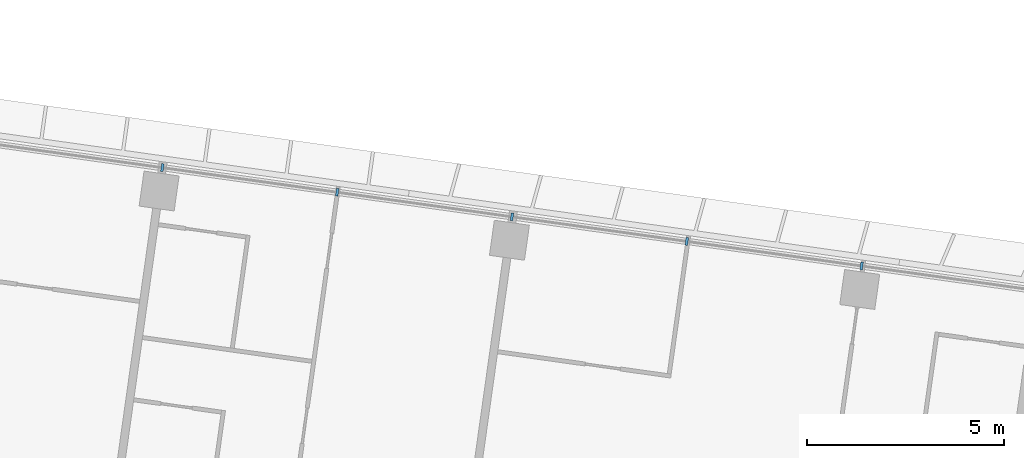
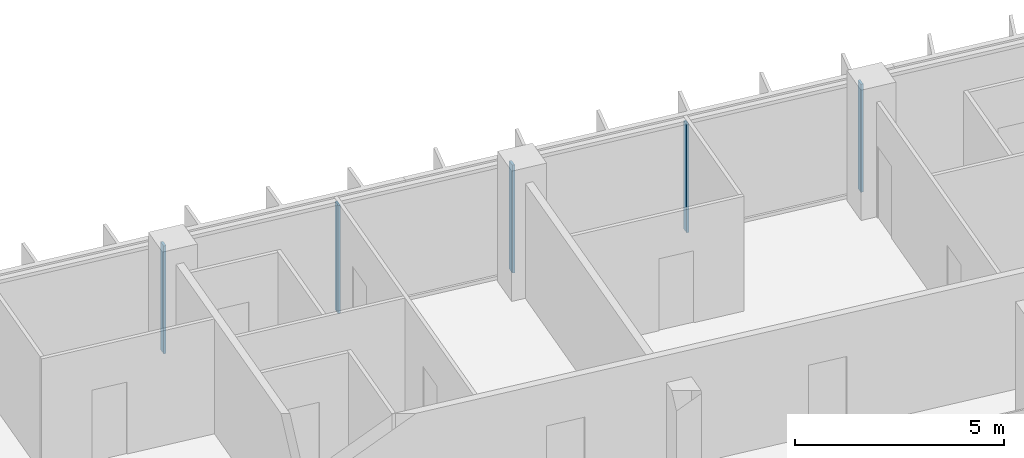
# One storey, part 8 of 33: 5 members, 1 element without a shape of its own.
"""IFC4 building model written with IfcOpenShell, lengths in metres."""

from ifc_helpers import new_model, si_unit, direction, frame, origin, origin_2d, place, context, subcontext, project, spatial, rectangle, extrude, material, material_profile, profile_set, type_object, element, aggregate, save


model = new_model("IFC4")

# Units and contexts
model_context = context("Model", 3, precision=1e-05, world=origin(), true_north=direction((0.0, 1.0)))
body_context = subcontext(model_context, "Body", "Model", "MODEL_VIEW")
ifc_project = project(units=[si_unit("LENGTHUNIT", "METRE"), si_unit("AREAUNIT", "SQUARE_METRE"), si_unit("VOLUMEUNIT", "CUBIC_METRE"), si_unit("PLANEANGLEUNIT", "RADIAN"), si_unit("MASSUNIT", "GRAM", prefix="KILO")], contexts=[model_context])

# Site, building, storey
site_placement = place(None, origin())
site = spatial("IfcSite", under=ifc_project, at=site_placement, CompositionType="ELEMENT")
building_placement = place(site_placement, origin())
building = spatial("IfcBuilding", under=site, at=building_placement, Name="Mirante Cascada Hotel Towers", CompositionType="ELEMENT")
storey_placement = place(building_placement, frame((0.0, 0.0, 121.5)))
storey = spatial("IfcBuildingStorey", under=building, at=storey_placement, Name="L27", CompositionType="ELEMENT", Elevation=121.5)

# Curtain wall, members
ifc_material_1 = material(Name="Aluminium mullion and transom frame with clear laminated glass", Category="aluminium")
curtain_wall_type = type_object("IfcCurtainWallType", Name="Ribbon curtain wall ECW1", PredefinedType="NOTDEFINED", material=ifc_material_1)
curtain_wall_placement = place(storey_placement, origin())
curtain_wall = element("IfcCurtainWall", 1, at=curtain_wall_placement, inside=storey, type_object=curtain_wall_type, Name="Front ribbon wall T1 L27", PredefinedType="NOTDEFINED")
ifc_material_2 = material(Name="Anodised aluminium extrusion", Category="aluminium")
ifc_material_profile = material_profile(ifc_material_2, rectangle(XDim=0.2, YDim=0.065, at=origin_2d()), Name="ECW1 MULLION 65x200")
ifc_profile_set = profile_set([ifc_material_profile], Name="Anodised aluminium extrusion")
member_type = type_object("IfcMemberType", Name="ECW1 mullion 65x200", PredefinedType="MULLION", material=ifc_profile_set)
member_1_placement = place(storey_placement, frame((-63.0262, 21.6768, 0.1), z_axis=(0.0, 0.0, 1.0), x_axis=(0.1391731, 0.9902681, 0.0)))
member_1 = element("IfcMember", 2, at=member_1_placement, type_object=member_type, Name="ECW1 mullion 8", PredefinedType="MULLION", context=body_context, shape_type="SweptSolid", body=[
    extrude(rectangle(XDim=0.2, YDim=0.065, at=origin_2d()), origin(), (0.0, 0.0, 1.0), 3.15),
])
member_2_placement = place(storey_placement, frame((-58.5788, 21.0517, 0.1), z_axis=(0.0, 0.0, 1.0), x_axis=(0.1391731, 0.9902681, 0.0)))
member_2 = element("IfcMember", 3, at=member_2_placement, type_object=member_type, Name="ECW1 mullion 9", PredefinedType="MULLION", context=body_context, shape_type="SweptSolid", body=[
    extrude(rectangle(XDim=0.2, YDim=0.065, at=origin_2d()), origin(), (0.0, 0.0, 1.0), 3.15),
])
member_3_placement = place(storey_placement, frame((-54.1314, 20.4267, 0.1), z_axis=(0.0, 0.0, 1.0), x_axis=(0.1391731, 0.9902681, 0.0)))
member_3 = element("IfcMember", 4, at=member_3_placement, type_object=member_type, Name="ECW1 mullion 10", PredefinedType="MULLION", context=body_context, shape_type="SweptSolid", body=[
    extrude(rectangle(XDim=0.2, YDim=0.065, at=origin_2d()), origin(), (0.0, 0.0, 1.0), 3.15),
])
member_4_placement = place(storey_placement, frame((-49.684, 19.8017, 0.1), z_axis=(0.0, 0.0, 1.0), x_axis=(0.1391731, 0.9902681, 0.0)))
member_4 = element("IfcMember", 5, at=member_4_placement, type_object=member_type, Name="ECW1 mullion 11", PredefinedType="MULLION", context=body_context, shape_type="SweptSolid", body=[
    extrude(rectangle(XDim=0.2, YDim=0.065, at=origin_2d()), origin(), (0.0, 0.0, 1.0), 3.15),
])
member_5_placement = place(storey_placement, frame((-45.2366, 19.1766, 0.1), z_axis=(0.0, 0.0, 1.0), x_axis=(0.1391731, 0.9902681, 0.0)))
member_5 = element("IfcMember", 6, at=member_5_placement, type_object=member_type, Name="ECW1 mullion 12", PredefinedType="MULLION", context=body_context, shape_type="SweptSolid", body=[
    extrude(rectangle(XDim=0.2, YDim=0.065, at=origin_2d()), origin(), (0.0, 0.0, 1.0), 3.15),
])
aggregate(curtain_wall, [member_1, member_2, member_3, member_4, member_5])

save(model, "model.ifc")
